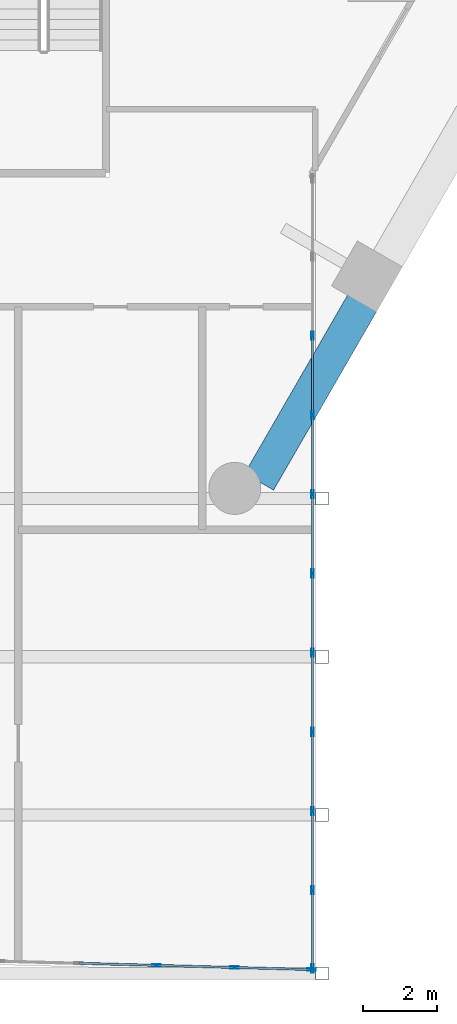
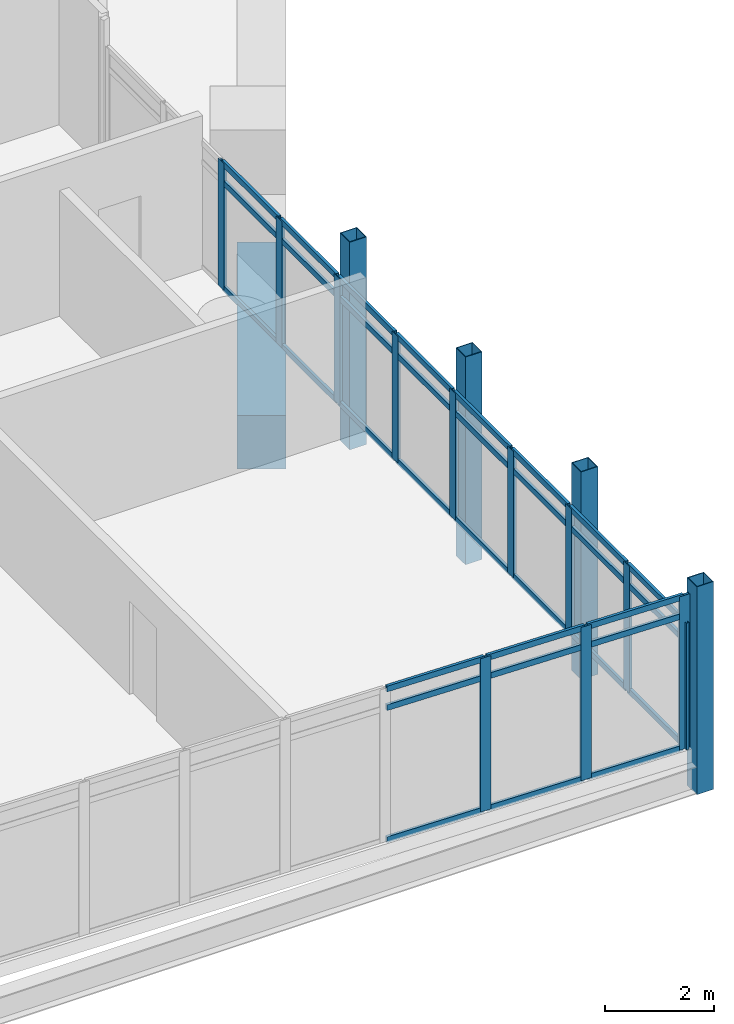
# One storey, part 10 of 28: 49 members, 1 beam, 2 elements without a shape of their own.
"""IFC4 building model written with IfcOpenShell, lengths in metres."""

from ifc_helpers import new_model, si_unit, direction, frame, origin, origin_2d, place, context, subcontext, project, spatial, rectangle, hollow_rectangle, extrude, material, material_profile, profile_set, type_object, element, aggregate, save


model = new_model("IFC4")

# Units and contexts
model_context = context("Model", 3, precision=1e-05, world=origin(), true_north=direction((0.0, 1.0)))
body_context = subcontext(model_context, "Body", "Model", "MODEL_VIEW")
ifc_project = project(units=[si_unit("LENGTHUNIT", "METRE"), si_unit("AREAUNIT", "SQUARE_METRE"), si_unit("VOLUMEUNIT", "CUBIC_METRE"), si_unit("PLANEANGLEUNIT", "RADIAN"), si_unit("MASSUNIT", "GRAM", prefix="KILO")], contexts=[model_context])

# Site, building, storey
site_placement = place(None, origin())
site = spatial("IfcSite", under=ifc_project, at=site_placement, CompositionType="ELEMENT")
building_placement = place(site_placement, origin())
building = spatial("IfcBuilding", under=site, at=building_placement, Name="Ostrander Bayou Hotel Tower", CompositionType="ELEMENT")
storey_placement = place(building_placement, frame((0.0, 0.0, 76.75)))
storey = spatial("IfcBuildingStorey", under=building, at=storey_placement, Name="L19", CompositionType="ELEMENT", Elevation=76.75)

# Curtain wall, members
ifc_material_1 = material(Name="Aluminium and clear glass", Category="aluminium")
curtain_wall_type = type_object("IfcCurtainWallType", Name="CW-BAR glazed wall", PredefinedType="NOTDEFINED", material=ifc_material_1)
curtain_wall_1_placement = place(storey_placement, origin())
curtain_wall_1 = element("IfcCurtainWall", 1, at=curtain_wall_1_placement, inside=storey, type_object=curtain_wall_type, Name="CW-BAR L19:SB1S:T", PredefinedType="NOTDEFINED")
ifc_material_2 = material(Name="Aluminium", Category="aluminium")
ifc_material_profile_1 = material_profile(ifc_material_2, hollow_rectangle(XDim=0.06005859375, YDim=0.219970703125, WallThickness=0.00390625, at=origin_2d()))
ifc_profile_set_1 = profile_set([ifc_material_profile_1], Name="Aluminium")
member_type_1 = type_object("IfcMemberType", Name="CW-BR mullion 60 x 220 mm", PredefinedType="MULLION", material=ifc_profile_set_1)
member_1_placement = place(storey_placement, frame((10.5087890625, -32.734375, 0.0), z_axis=(0.0, 0.0, 1.0), x_axis=(0.027042484848, 0.999634285133, 0.0)))
member_1 = element("IfcMember", 2, at=member_1_placement, type_object=member_type_1, Name="CW-BAR mullion 13", PredefinedType="MULLION", context=body_context, shape_type="SweptSolid", body=[
    extrude(hollow_rectangle(XDim=0.06005859375, YDim=0.219970703125, WallThickness=0.00390625, at=origin_2d()), origin(), (0.0, 0.0, 1.0), 3.449951171875),
])
member_2_placement = place(storey_placement, frame((12.6103515625, -32.791259765625, 0.0), z_axis=(0.0, 0.0, 1.0), x_axis=(0.027042484848, 0.999634285133, 0.0)))
member_2 = element("IfcMember", 3, at=member_2_placement, type_object=member_type_1, Name="CW-BAR mullion 14", PredefinedType="MULLION", context=body_context, shape_type="SweptSolid", body=[
    extrude(hollow_rectangle(XDim=0.06005859375, YDim=0.219970703125, WallThickness=0.00390625, at=origin_2d()), origin(), (0.0, 0.0, 1.0), 3.449951171875),
])
member_3_placement = place(storey_placement, frame((14.68212890625, -32.84716796875, 0.0), z_axis=(0.0, 0.0, 1.0), x_axis=(0.027042484848, 0.999634285133, 0.0)))
member_3 = element("IfcMember", 4, at=member_3_placement, type_object=member_type_1, Name="CW-BAR mullion 15", PredefinedType="MULLION", context=body_context, shape_type="SweptSolid", body=[
    extrude(hollow_rectangle(XDim=0.06005859375, YDim=0.219970703125, WallThickness=0.00390625, at=origin_2d()), origin(), (0.0, 0.0, 1.0), 3.449951171875),
])

curtain_wall_2_placement = place(storey_placement, origin())
curtain_wall_2 = element("IfcCurtainWall", 5, at=curtain_wall_2_placement, inside=storey, type_object=curtain_wall_type, Name="CW-BAR L19:SB1S:W", PredefinedType="NOTDEFINED")
member_4_placement = place(storey_placement, frame((14.712158203125, -15.78369140625, 0.0), z_axis=(0.0, 0.0, 1.0), x_axis=(1.0, 0.0, 0.0)))
member_4 = element("IfcMember", 6, at=member_4_placement, type_object=member_type_1, Name="CW-BAR mullion 3", PredefinedType="MULLION", context=body_context, shape_type="SweptSolid", body=[
    extrude(hollow_rectangle(XDim=0.06005859375, YDim=0.219970703125, WallThickness=0.00390625, at=origin_2d()), origin(), (0.0, 0.0, 1.0), 2.85009765625),
])
member_5_placement = place(storey_placement, frame((14.712158203125, -17.916748046875, 0.0), z_axis=(0.0, 0.0, 1.0), x_axis=(1.0, 0.0, 0.0)))
member_5 = element("IfcMember", 7, at=member_5_placement, type_object=member_type_1, Name="CW-BAR mullion 4", PredefinedType="MULLION", context=body_context, shape_type="SweptSolid", body=[
    extrude(hollow_rectangle(XDim=0.06005859375, YDim=0.219970703125, WallThickness=0.00390625, at=origin_2d()), origin(), (0.0, 0.0, 1.0), 2.85009765625),
])
member_6_placement = place(storey_placement, frame((14.712158203125, -20.0498046875, 0.0), z_axis=(0.0, 0.0, 1.0), x_axis=(1.0, 0.0, 0.0)))
member_6 = element("IfcMember", 8, at=member_6_placement, type_object=member_type_1, Name="CW-BAR mullion 5", PredefinedType="MULLION", context=body_context, shape_type="SweptSolid", body=[
    extrude(hollow_rectangle(XDim=0.06005859375, YDim=0.219970703125, WallThickness=0.00390625, at=origin_2d()), origin(), (0.0, 0.0, 1.0), 2.85009765625),
])
member_7_placement = place(storey_placement, frame((14.712158203125, -22.182861328125, 0.0), z_axis=(0.0, 0.0, 1.0), x_axis=(1.0, 0.0, 0.0)))
member_7 = element("IfcMember", 9, at=member_7_placement, type_object=member_type_1, Name="CW-BAR mullion 6", PredefinedType="MULLION", context=body_context, shape_type="SweptSolid", body=[
    extrude(hollow_rectangle(XDim=0.06005859375, YDim=0.219970703125, WallThickness=0.00390625, at=origin_2d()), origin(), (0.0, 0.0, 1.0), 2.85009765625),
])
member_8_placement = place(storey_placement, frame((14.712158203125, -24.31591796875, 0.0), z_axis=(0.0, 0.0, 1.0), x_axis=(1.0, 0.0, 0.0)))
member_8 = element("IfcMember", 10, at=member_8_placement, type_object=member_type_1, Name="CW-BAR mullion 7", PredefinedType="MULLION", context=body_context, shape_type="SweptSolid", body=[
    extrude(hollow_rectangle(XDim=0.06005859375, YDim=0.219970703125, WallThickness=0.00390625, at=origin_2d()), origin(), (0.0, 0.0, 1.0), 2.85009765625),
])
member_9_placement = place(storey_placement, frame((14.712158203125, -26.448974609375, 0.0), z_axis=(0.0, 0.0, 1.0), x_axis=(1.0, 0.0, 0.0)))
member_9 = element("IfcMember", 11, at=member_9_placement, type_object=member_type_1, Name="CW-BAR mullion 8", PredefinedType="MULLION", context=body_context, shape_type="SweptSolid", body=[
    extrude(hollow_rectangle(XDim=0.06005859375, YDim=0.219970703125, WallThickness=0.00390625, at=origin_2d()), origin(), (0.0, 0.0, 1.0), 2.85009765625),
])
member_10_placement = place(storey_placement, frame((14.712158203125, -28.58203125, 0.0), z_axis=(0.0, 0.0, 1.0), x_axis=(1.0, 0.0, 0.0)))
member_10 = element("IfcMember", 12, at=member_10_placement, type_object=member_type_1, Name="CW-BAR mullion 9", PredefinedType="MULLION", context=body_context, shape_type="SweptSolid", body=[
    extrude(hollow_rectangle(XDim=0.06005859375, YDim=0.219970703125, WallThickness=0.00390625, at=origin_2d()), origin(), (0.0, 0.0, 1.0), 2.85009765625),
])
member_11_placement = place(storey_placement, frame((14.712158203125, -30.715087890625, 0.0), z_axis=(0.0, 0.0, 1.0), x_axis=(1.0, 0.0, 0.0)))
member_11 = element("IfcMember", 13, at=member_11_placement, type_object=member_type_1, Name="CW-BAR mullion 10", PredefinedType="MULLION", context=body_context, shape_type="SweptSolid", body=[
    extrude(hollow_rectangle(XDim=0.06005859375, YDim=0.219970703125, WallThickness=0.00390625, at=origin_2d()), origin(), (0.0, 0.0, 1.0), 2.85009765625),
])
member_12_placement = place(storey_placement, frame((14.712158203125, -32.818115234375, 0.0), z_axis=(0.0, 0.0, 1.0), x_axis=(1.0, 0.0, 0.0)))
member_12 = element("IfcMember", 14, at=member_12_placement, type_object=member_type_1, Name="CW-BAR mullion 11", PredefinedType="MULLION", context=body_context, shape_type="SweptSolid", body=[
    extrude(hollow_rectangle(XDim=0.06005859375, YDim=0.219970703125, WallThickness=0.00390625, at=origin_2d()), origin(), (0.0, 0.0, 1.0), 2.85009765625),
])

# Member
ifc_material_3 = material(Name="Aluminium", Category="aluminium")
ifc_material_profile_2 = material_profile(ifc_material_3, hollow_rectangle(XDim=0.06005859375, YDim=0.1298828125, WallThickness=0.00390625, at=origin_2d()))
ifc_profile_set_2 = profile_set([ifc_material_profile_2], Name="Aluminium")
member_type_2 = type_object("IfcMemberType", Name="CW-BR transom 60 x 130 mm", PredefinedType="USERDEFINED", material=ifc_profile_set_2)
member_13_placement = place(storey_placement, frame((8.43701171875, -32.67822265625, 0.030029296875), z_axis=(0.999635057116, -0.027013933147, 0.0), x_axis=(0.027013933147, 0.999635057116, 0.0)))
member_13 = element("IfcMember", 15, at=member_13_placement, type_object=member_type_2, Name="CW-BAR transom 12.1", ObjectType="TRANSOM", PredefinedType="USERDEFINED", context=body_context, shape_type="SweptSolid", body=[
    extrude(hollow_rectangle(XDim=0.06005859375, YDim=0.1298828125, WallThickness=0.00390625, at=origin_2d()), origin(), (0.0, 0.0, 1.0), 2.04248046875),
])

member_14_placement = place(storey_placement, frame((8.43701171875, -32.67822265625, 3.0), z_axis=(0.999635057116, -0.027013933147, 0.0), x_axis=(0.027013933147, 0.999635057116, 0.0)))
member_14 = element("IfcMember", 16, at=member_14_placement, type_object=member_type_2, Name="CW-BAR transom 12.2", ObjectType="TRANSOM", PredefinedType="USERDEFINED", context=body_context, shape_type="SweptSolid", body=[
    extrude(hollow_rectangle(XDim=0.06005859375, YDim=0.1298828125, WallThickness=0.00390625, at=origin_2d()), origin(), (0.0, 0.0, 1.0), 2.04248046875),
])

member_15_placement = place(storey_placement, frame((8.43701171875, -32.67822265625, 3.419921875), z_axis=(0.999635057116, -0.027013933147, 0.0), x_axis=(0.027013933147, 0.999635057116, 0.0)))
member_15 = element("IfcMember", 17, at=member_15_placement, type_object=member_type_2, Name="CW-BAR transom 12.3", ObjectType="TRANSOM", PredefinedType="USERDEFINED", context=body_context, shape_type="SweptSolid", body=[
    extrude(hollow_rectangle(XDim=0.06005859375, YDim=0.1298828125, WallThickness=0.00390625, at=origin_2d()), origin(), (0.0, 0.0, 1.0), 2.04248046875),
])

member_16_placement = place(storey_placement, frame((10.538818359375, -32.735107421875, 0.030029296875), z_axis=(0.999635057116, -0.027013933147, 0.0), x_axis=(0.027013933147, 0.999635057116, 0.0)))
member_16 = element("IfcMember", 18, at=member_16_placement, type_object=member_type_2, Name="CW-BAR transom 13.1", ObjectType="TRANSOM", PredefinedType="USERDEFINED", context=body_context, shape_type="SweptSolid", body=[
    extrude(hollow_rectangle(XDim=0.06005859375, YDim=0.1298828125, WallThickness=0.00390625, at=origin_2d()), origin(), (0.0, 0.0, 1.0), 2.04248046875),
])

member_17_placement = place(storey_placement, frame((10.538818359375, -32.735107421875, 3.0), z_axis=(0.999635057116, -0.027013933147, 0.0), x_axis=(0.027013933147, 0.999635057116, 0.0)))
member_17 = element("IfcMember", 19, at=member_17_placement, type_object=member_type_2, Name="CW-BAR transom 13.2", ObjectType="TRANSOM", PredefinedType="USERDEFINED", context=body_context, shape_type="SweptSolid", body=[
    extrude(hollow_rectangle(XDim=0.06005859375, YDim=0.1298828125, WallThickness=0.00390625, at=origin_2d()), origin(), (0.0, 0.0, 1.0), 2.04248046875),
])

member_18_placement = place(storey_placement, frame((10.538818359375, -32.735107421875, 3.419921875), z_axis=(0.999635057116, -0.027013933147, 0.0), x_axis=(0.027013933147, 0.999635057116, 0.0)))
member_18 = element("IfcMember", 20, at=member_18_placement, type_object=member_type_2, Name="CW-BAR transom 13.3", ObjectType="TRANSOM", PredefinedType="USERDEFINED", context=body_context, shape_type="SweptSolid", body=[
    extrude(hollow_rectangle(XDim=0.06005859375, YDim=0.1298828125, WallThickness=0.00390625, at=origin_2d()), origin(), (0.0, 0.0, 1.0), 2.04248046875),
])

member_19_placement = place(storey_placement, frame((12.640380859375, -32.7919921875, 0.030029296875), z_axis=(0.999634083934, -0.027049921213, 0.0), x_axis=(0.027049921213, 0.999634083934, 0.0)))
member_19 = element("IfcMember", 21, at=member_19_placement, type_object=member_type_2, Name="CW-BAR transom 14.1", ObjectType="TRANSOM", PredefinedType="USERDEFINED", context=body_context, shape_type="SweptSolid", body=[
    extrude(hollow_rectangle(XDim=0.06005859375, YDim=0.1298828125, WallThickness=0.00390625, at=origin_2d()), origin(), (0.0, 0.0, 1.0), 2.0126953125),
])

member_20_placement = place(storey_placement, frame((12.640380859375, -32.7919921875, 3.0), z_axis=(0.999634083934, -0.027049921213, 0.0), x_axis=(0.027049921213, 0.999634083934, 0.0)))
member_20 = element("IfcMember", 22, at=member_20_placement, type_object=member_type_2, Name="CW-BAR transom 14.2", ObjectType="TRANSOM", PredefinedType="USERDEFINED", context=body_context, shape_type="SweptSolid", body=[
    extrude(hollow_rectangle(XDim=0.06005859375, YDim=0.1298828125, WallThickness=0.00390625, at=origin_2d()), origin(), (0.0, 0.0, 1.0), 2.0126953125),
])

member_21_placement = place(storey_placement, frame((12.640380859375, -32.7919921875, 3.419921875), z_axis=(0.999634083934, -0.027049921213, 0.0), x_axis=(0.027049921213, 0.999634083934, 0.0)))
member_21 = element("IfcMember", 23, at=member_21_placement, type_object=member_type_2, Name="CW-BAR transom 14.3", ObjectType="TRANSOM", PredefinedType="USERDEFINED", context=body_context, shape_type="SweptSolid", body=[
    extrude(hollow_rectangle(XDim=0.06005859375, YDim=0.1298828125, WallThickness=0.00390625, at=origin_2d()), origin(), (0.0, 0.0, 1.0), 2.0126953125),
])

aggregate(curtain_wall_1, [member_1, member_2, member_3, member_13, member_14, member_15, member_16, member_17, member_18, member_19, member_20, member_21])

member_22_placement = place(storey_placement, frame((14.712158203125, -15.813720703125, 0.030029296875), z_axis=(0.0, -1.0, 0.0), x_axis=(1.0, 0.0, 0.0)))
member_22 = element("IfcMember", 24, at=member_22_placement, type_object=member_type_2, Name="CW-BAR transom 3.1", ObjectType="TRANSOM", PredefinedType="USERDEFINED", context=body_context, shape_type="SweptSolid", body=[
    extrude(hollow_rectangle(XDim=0.06005859375, YDim=0.1298828125, WallThickness=0.00390625, at=origin_2d()), origin(), (0.0, 0.0, 1.0), 2.072998046875),
])

member_23_placement = place(storey_placement, frame((14.712158203125, -15.813720703125, 2.39990234375), z_axis=(0.0, -1.0, 0.0), x_axis=(1.0, 0.0, 0.0)))
member_23 = element("IfcMember", 25, at=member_23_placement, type_object=member_type_2, Name="CW-BAR transom 3.2", ObjectType="TRANSOM", PredefinedType="USERDEFINED", context=body_context, shape_type="SweptSolid", body=[
    extrude(hollow_rectangle(XDim=0.06005859375, YDim=0.1298828125, WallThickness=0.00390625, at=origin_2d()), origin(), (0.0, 0.0, 1.0), 2.072998046875),
])

member_24_placement = place(storey_placement, frame((14.712158203125, -15.813720703125, 2.820068359375), z_axis=(0.0, -1.0, 0.0), x_axis=(1.0, 0.0, 0.0)))
member_24 = element("IfcMember", 26, at=member_24_placement, type_object=member_type_2, Name="CW-BAR transom 3.3", ObjectType="TRANSOM", PredefinedType="USERDEFINED", context=body_context, shape_type="SweptSolid", body=[
    extrude(hollow_rectangle(XDim=0.06005859375, YDim=0.1298828125, WallThickness=0.00390625, at=origin_2d()), origin(), (0.0, 0.0, 1.0), 2.072998046875),
])

member_25_placement = place(storey_placement, frame((14.712158203125, -17.94677734375, 0.030029296875), z_axis=(0.0, -1.0, 0.0), x_axis=(1.0, 0.0, 0.0)))
member_25 = element("IfcMember", 27, at=member_25_placement, type_object=member_type_2, Name="CW-BAR transom 4.1", ObjectType="TRANSOM", PredefinedType="USERDEFINED", context=body_context, shape_type="SweptSolid", body=[
    extrude(hollow_rectangle(XDim=0.06005859375, YDim=0.1298828125, WallThickness=0.00390625, at=origin_2d()), origin(), (0.0, 0.0, 1.0), 2.072998046875),
])

member_26_placement = place(storey_placement, frame((14.712158203125, -17.94677734375, 2.39990234375), z_axis=(0.0, -1.0, 0.0), x_axis=(1.0, 0.0, 0.0)))
member_26 = element("IfcMember", 28, at=member_26_placement, type_object=member_type_2, Name="CW-BAR transom 4.2", ObjectType="TRANSOM", PredefinedType="USERDEFINED", context=body_context, shape_type="SweptSolid", body=[
    extrude(hollow_rectangle(XDim=0.06005859375, YDim=0.1298828125, WallThickness=0.00390625, at=origin_2d()), origin(), (0.0, 0.0, 1.0), 2.072998046875),
])

member_27_placement = place(storey_placement, frame((14.712158203125, -17.94677734375, 2.820068359375), z_axis=(0.0, -1.0, 0.0), x_axis=(1.0, 0.0, 0.0)))
member_27 = element("IfcMember", 29, at=member_27_placement, type_object=member_type_2, Name="CW-BAR transom 4.3", ObjectType="TRANSOM", PredefinedType="USERDEFINED", context=body_context, shape_type="SweptSolid", body=[
    extrude(hollow_rectangle(XDim=0.06005859375, YDim=0.1298828125, WallThickness=0.00390625, at=origin_2d()), origin(), (0.0, 0.0, 1.0), 2.072998046875),
])

member_28_placement = place(storey_placement, frame((14.712158203125, -20.079833984375, 0.030029296875), z_axis=(0.0, -1.0, 0.0), x_axis=(1.0, 0.0, 0.0)))
member_28 = element("IfcMember", 30, at=member_28_placement, type_object=member_type_2, Name="CW-BAR transom 5.1", ObjectType="TRANSOM", PredefinedType="USERDEFINED", context=body_context, shape_type="SweptSolid", body=[
    extrude(hollow_rectangle(XDim=0.06005859375, YDim=0.1298828125, WallThickness=0.00390625, at=origin_2d()), origin(), (0.0, 0.0, 1.0), 2.072998046875),
])

member_29_placement = place(storey_placement, frame((14.712158203125, -20.079833984375, 2.39990234375), z_axis=(0.0, -1.0, 0.0), x_axis=(1.0, 0.0, 0.0)))
member_29 = element("IfcMember", 31, at=member_29_placement, type_object=member_type_2, Name="CW-BAR transom 5.2", ObjectType="TRANSOM", PredefinedType="USERDEFINED", context=body_context, shape_type="SweptSolid", body=[
    extrude(hollow_rectangle(XDim=0.06005859375, YDim=0.1298828125, WallThickness=0.00390625, at=origin_2d()), origin(), (0.0, 0.0, 1.0), 2.072998046875),
])

member_30_placement = place(storey_placement, frame((14.712158203125, -20.079833984375, 2.820068359375), z_axis=(0.0, -1.0, 0.0), x_axis=(1.0, 0.0, 0.0)))
member_30 = element("IfcMember", 32, at=member_30_placement, type_object=member_type_2, Name="CW-BAR transom 5.3", ObjectType="TRANSOM", PredefinedType="USERDEFINED", context=body_context, shape_type="SweptSolid", body=[
    extrude(hollow_rectangle(XDim=0.06005859375, YDim=0.1298828125, WallThickness=0.00390625, at=origin_2d()), origin(), (0.0, 0.0, 1.0), 2.072998046875),
])

member_31_placement = place(storey_placement, frame((14.712158203125, -22.212890625, 0.030029296875), z_axis=(0.0, -1.0, 0.0), x_axis=(1.0, 0.0, 0.0)))
member_31 = element("IfcMember", 33, at=member_31_placement, type_object=member_type_2, Name="CW-BAR transom 6.1", ObjectType="TRANSOM", PredefinedType="USERDEFINED", context=body_context, shape_type="SweptSolid", body=[
    extrude(hollow_rectangle(XDim=0.06005859375, YDim=0.1298828125, WallThickness=0.00390625, at=origin_2d()), origin(), (0.0, 0.0, 1.0), 2.072998046875),
])

member_32_placement = place(storey_placement, frame((14.712158203125, -22.212890625, 2.39990234375), z_axis=(0.0, -1.0, 0.0), x_axis=(1.0, 0.0, 0.0)))
member_32 = element("IfcMember", 34, at=member_32_placement, type_object=member_type_2, Name="CW-BAR transom 6.2", ObjectType="TRANSOM", PredefinedType="USERDEFINED", context=body_context, shape_type="SweptSolid", body=[
    extrude(hollow_rectangle(XDim=0.06005859375, YDim=0.1298828125, WallThickness=0.00390625, at=origin_2d()), origin(), (0.0, 0.0, 1.0), 2.072998046875),
])

member_33_placement = place(storey_placement, frame((14.712158203125, -22.212890625, 2.820068359375), z_axis=(0.0, -1.0, 0.0), x_axis=(1.0, 0.0, 0.0)))
member_33 = element("IfcMember", 35, at=member_33_placement, type_object=member_type_2, Name="CW-BAR transom 6.3", ObjectType="TRANSOM", PredefinedType="USERDEFINED", context=body_context, shape_type="SweptSolid", body=[
    extrude(hollow_rectangle(XDim=0.06005859375, YDim=0.1298828125, WallThickness=0.00390625, at=origin_2d()), origin(), (0.0, 0.0, 1.0), 2.072998046875),
])

member_34_placement = place(storey_placement, frame((14.712158203125, -24.345947265625, 0.030029296875), z_axis=(0.0, -1.0, 0.0), x_axis=(1.0, 0.0, 0.0)))
member_34 = element("IfcMember", 36, at=member_34_placement, type_object=member_type_2, Name="CW-BAR transom 7.1", ObjectType="TRANSOM", PredefinedType="USERDEFINED", context=body_context, shape_type="SweptSolid", body=[
    extrude(hollow_rectangle(XDim=0.06005859375, YDim=0.1298828125, WallThickness=0.00390625, at=origin_2d()), origin(), (0.0, 0.0, 1.0), 2.072998046875),
])

member_35_placement = place(storey_placement, frame((14.712158203125, -24.345947265625, 2.39990234375), z_axis=(0.0, -1.0, 0.0), x_axis=(1.0, 0.0, 0.0)))
member_35 = element("IfcMember", 37, at=member_35_placement, type_object=member_type_2, Name="CW-BAR transom 7.2", ObjectType="TRANSOM", PredefinedType="USERDEFINED", context=body_context, shape_type="SweptSolid", body=[
    extrude(hollow_rectangle(XDim=0.06005859375, YDim=0.1298828125, WallThickness=0.00390625, at=origin_2d()), origin(), (0.0, 0.0, 1.0), 2.072998046875),
])

member_36_placement = place(storey_placement, frame((14.712158203125, -24.345947265625, 2.820068359375), z_axis=(0.0, -1.0, 0.0), x_axis=(1.0, 0.0, 0.0)))
member_36 = element("IfcMember", 38, at=member_36_placement, type_object=member_type_2, Name="CW-BAR transom 7.3", ObjectType="TRANSOM", PredefinedType="USERDEFINED", context=body_context, shape_type="SweptSolid", body=[
    extrude(hollow_rectangle(XDim=0.06005859375, YDim=0.1298828125, WallThickness=0.00390625, at=origin_2d()), origin(), (0.0, 0.0, 1.0), 2.072998046875),
])

member_37_placement = place(storey_placement, frame((14.712158203125, -26.47900390625, 0.030029296875), z_axis=(0.0, -1.0, 0.0), x_axis=(1.0, 0.0, 0.0)))
member_37 = element("IfcMember", 39, at=member_37_placement, type_object=member_type_2, Name="CW-BAR transom 8.1", ObjectType="TRANSOM", PredefinedType="USERDEFINED", context=body_context, shape_type="SweptSolid", body=[
    extrude(hollow_rectangle(XDim=0.06005859375, YDim=0.1298828125, WallThickness=0.00390625, at=origin_2d()), origin(), (0.0, 0.0, 1.0), 2.072998046875),
])

member_38_placement = place(storey_placement, frame((14.712158203125, -26.47900390625, 2.39990234375), z_axis=(0.0, -1.0, 0.0), x_axis=(1.0, 0.0, 0.0)))
member_38 = element("IfcMember", 40, at=member_38_placement, type_object=member_type_2, Name="CW-BAR transom 8.2", ObjectType="TRANSOM", PredefinedType="USERDEFINED", context=body_context, shape_type="SweptSolid", body=[
    extrude(hollow_rectangle(XDim=0.06005859375, YDim=0.1298828125, WallThickness=0.00390625, at=origin_2d()), origin(), (0.0, 0.0, 1.0), 2.072998046875),
])

member_39_placement = place(storey_placement, frame((14.712158203125, -26.47900390625, 2.820068359375), z_axis=(0.0, -1.0, 0.0), x_axis=(1.0, 0.0, 0.0)))
member_39 = element("IfcMember", 41, at=member_39_placement, type_object=member_type_2, Name="CW-BAR transom 8.3", ObjectType="TRANSOM", PredefinedType="USERDEFINED", context=body_context, shape_type="SweptSolid", body=[
    extrude(hollow_rectangle(XDim=0.06005859375, YDim=0.1298828125, WallThickness=0.00390625, at=origin_2d()), origin(), (0.0, 0.0, 1.0), 2.072998046875),
])

member_40_placement = place(storey_placement, frame((14.712158203125, -28.612060546875, 0.030029296875), z_axis=(0.0, -1.0, 0.0), x_axis=(1.0, 0.0, 0.0)))
member_40 = element("IfcMember", 42, at=member_40_placement, type_object=member_type_2, Name="CW-BAR transom 9.1", ObjectType="TRANSOM", PredefinedType="USERDEFINED", context=body_context, shape_type="SweptSolid", body=[
    extrude(hollow_rectangle(XDim=0.06005859375, YDim=0.1298828125, WallThickness=0.00390625, at=origin_2d()), origin(), (0.0, 0.0, 1.0), 2.072998046875),
])

member_41_placement = place(storey_placement, frame((14.712158203125, -28.612060546875, 2.39990234375), z_axis=(0.0, -1.0, 0.0), x_axis=(1.0, 0.0, 0.0)))
member_41 = element("IfcMember", 43, at=member_41_placement, type_object=member_type_2, Name="CW-BAR transom 9.2", ObjectType="TRANSOM", PredefinedType="USERDEFINED", context=body_context, shape_type="SweptSolid", body=[
    extrude(hollow_rectangle(XDim=0.06005859375, YDim=0.1298828125, WallThickness=0.00390625, at=origin_2d()), origin(), (0.0, 0.0, 1.0), 2.072998046875),
])

member_42_placement = place(storey_placement, frame((14.712158203125, -28.612060546875, 2.820068359375), z_axis=(0.0, -1.0, 0.0), x_axis=(1.0, 0.0, 0.0)))
member_42 = element("IfcMember", 44, at=member_42_placement, type_object=member_type_2, Name="CW-BAR transom 9.3", ObjectType="TRANSOM", PredefinedType="USERDEFINED", context=body_context, shape_type="SweptSolid", body=[
    extrude(hollow_rectangle(XDim=0.06005859375, YDim=0.1298828125, WallThickness=0.00390625, at=origin_2d()), origin(), (0.0, 0.0, 1.0), 2.072998046875),
])

member_43_placement = place(storey_placement, frame((14.712158203125, -30.744873046875, 0.030029296875), z_axis=(0.0, -1.0, 0.0), x_axis=(1.0, 0.0, 0.0)))
member_43 = element("IfcMember", 45, at=member_43_placement, type_object=member_type_2, Name="CW-BAR transom 10.1", ObjectType="TRANSOM", PredefinedType="USERDEFINED", context=body_context, shape_type="SweptSolid", body=[
    extrude(hollow_rectangle(XDim=0.06005859375, YDim=0.1298828125, WallThickness=0.00390625, at=origin_2d()), origin(), (0.0, 0.0, 1.0), 2.043212890625),
])

member_44_placement = place(storey_placement, frame((14.712158203125, -30.744873046875, 2.39990234375), z_axis=(0.0, -1.0, 0.0), x_axis=(1.0, 0.0, 0.0)))
member_44 = element("IfcMember", 46, at=member_44_placement, type_object=member_type_2, Name="CW-BAR transom 10.2", ObjectType="TRANSOM", PredefinedType="USERDEFINED", context=body_context, shape_type="SweptSolid", body=[
    extrude(hollow_rectangle(XDim=0.06005859375, YDim=0.1298828125, WallThickness=0.00390625, at=origin_2d()), origin(), (0.0, 0.0, 1.0), 2.043212890625),
])

member_45_placement = place(storey_placement, frame((14.712158203125, -30.744873046875, 2.820068359375), z_axis=(0.0, -1.0, 0.0), x_axis=(1.0, 0.0, 0.0)))
member_45 = element("IfcMember", 47, at=member_45_placement, type_object=member_type_2, Name="CW-BAR transom 10.3", ObjectType="TRANSOM", PredefinedType="USERDEFINED", context=body_context, shape_type="SweptSolid", body=[
    extrude(hollow_rectangle(XDim=0.06005859375, YDim=0.1298828125, WallThickness=0.00390625, at=origin_2d()), origin(), (0.0, 0.0, 1.0), 2.043212890625),
])

aggregate(curtain_wall_2, [member_4, member_5, member_6, member_7, member_8, member_9, member_10, member_11, member_12, member_22, member_23, member_24, member_25, member_26, member_27, member_28, member_29, member_30, member_31, member_32, member_33, member_34, member_35, member_36, member_37, member_38, member_39, member_40, member_41, member_42, member_43, member_44, member_45])

# Beam
ifc_material_4 = material(Name="Concrete f'c 70 MPa", Category="concrete")
ifc_material_profile_3 = material_profile(ifc_material_4, rectangle(XDim=0.89990234375, YDim=1.199951171875, at=origin_2d()))
ifc_profile_set_3 = profile_set([ifc_material_profile_3], Name="Concrete f'c 70 MPa")
beam_type = type_object("IfcBeamType", Name="SP1 spandrel beam 900 x 1200 mm f'c 70 MPa", PredefinedType="SPANDREL", material=ifc_profile_set_3)
beam_placement = place(storey_placement, frame((13.272216796875, -19.712158203125, -0.60009765625), z_axis=(0.499976681983, 0.866038866029, 0.0), x_axis=(-0.866038866029, 0.499976681983, 0.0)))
element("IfcBeam", 48, at=beam_placement, inside=storey, type_object=beam_type, Name="SP1 L19 SE-1", PredefinedType="SPANDREL", context=body_context, shape_type="SweptSolid", body=[
    extrude(rectangle(XDim=0.89990234375, YDim=1.199951171875, at=origin_2d()), origin(), (0.0, 0.0, 1.0), 5.569580078125),
])

# Members
ifc_material_5 = material(Name="Steel ASTM A500 Gr C", Category="steel")
ifc_material_profile_4 = material_profile(ifc_material_5, hollow_rectangle(XDim=0.355712890625, YDim=0.355712890625, WallThickness=0.0146484375, at=origin_2d()))
ifc_profile_set_4 = profile_set([ifc_material_profile_4], Name="Steel ASTM A500 Gr C")
member_type_3 = type_object("IfcMemberType", Name="TH1 bar hanger HSS14x14x5/8", PredefinedType="POST", material=ifc_profile_set_4)
for number, where, z_axis, x_axis, name in (
    (49, (14.965087890625, -20.162841796875, -0.921875), (0.0, 0.0, 1.0), (1.0, 0.0, 0.0), "TH1 SB1SB H1-4"),
    (50, (14.965087890625, -24.42529296875, -0.921875), (0.0, 0.0, 1.0), (1.0, 0.0, 0.0), "TH1 SB1SB H2-4"),
    (51, (14.965087890625, -28.6875, -0.921875), (0.0, 0.0, 1.0), (1.0, 0.0, 0.0), "TH1 SB1SB H3-4"),
    (52, (14.965087890625, -32.949951171875, -0.921875), (0.0, 0.0, 1.0), (1.0, 0.0, 0.0), "TH1 SB1SB H4-4"),
):
    element("IfcMember", number, at=place(storey_placement, frame(where, z_axis=z_axis, x_axis=x_axis)), inside=storey, type_object=member_type_3, Name=name, PredefinedType="POST", context=body_context, shape_type="SweptSolid", body=[
        extrude(hollow_rectangle(XDim=0.355712890625, YDim=0.355712890625, WallThickness=0.0146484375, at=origin_2d()), origin(), (0.0, 0.0, 1.0), 4.671875),
    ])

save(model, "model.ifc")
